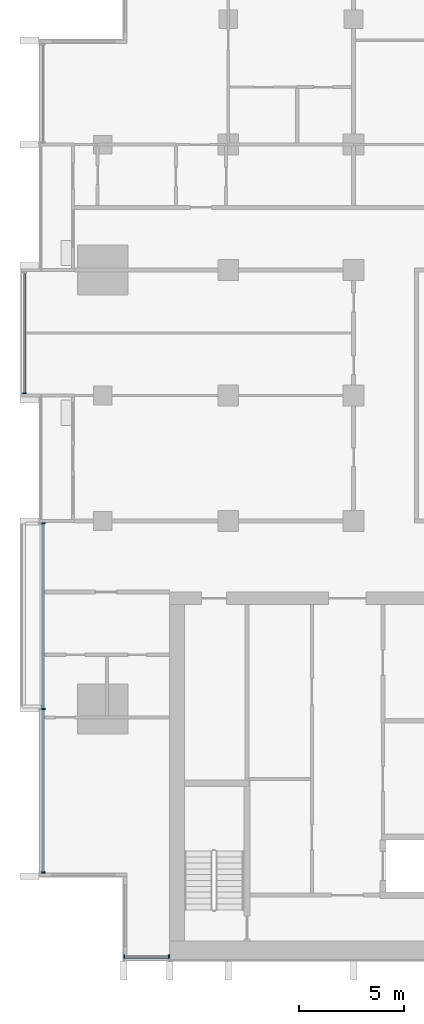
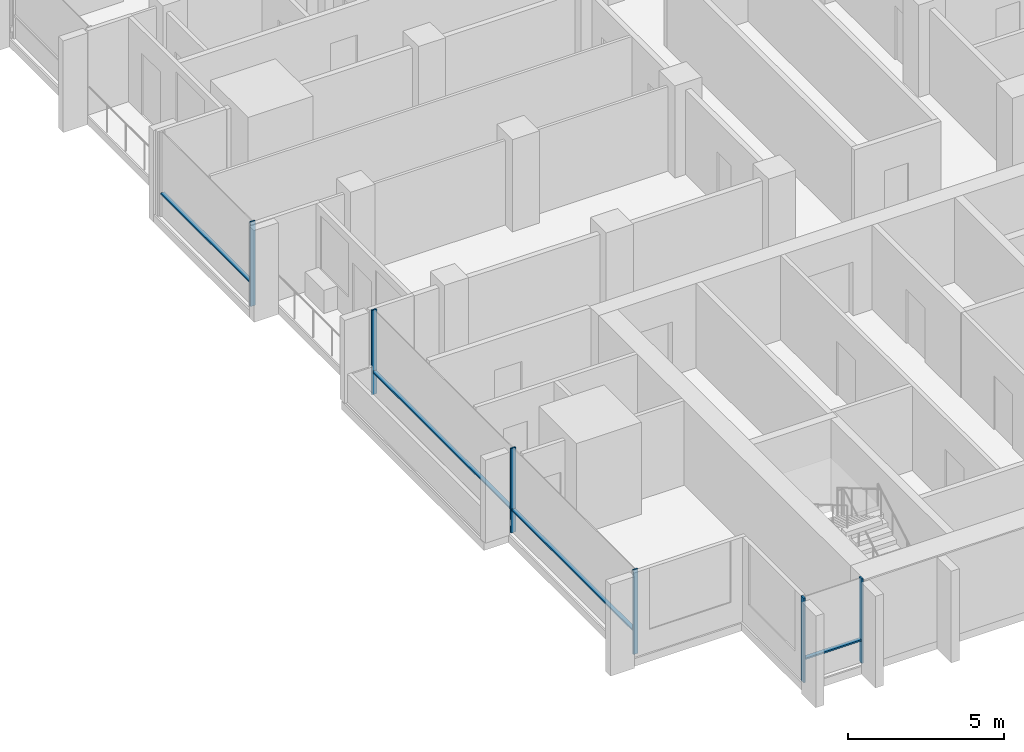
# One storey, part 2 of 17: 10 members, 3 elements without a shape of their own.
"""IFC4 building model written with IfcOpenShell, lengths in metres."""

from ifc_helpers import new_model, si_unit, direction, frame, origin, origin_2d, place, context, subcontext, project, spatial, rectangle, extrude, material, material_profile, profile_set, type_object, element, aggregate, save


model = new_model("IFC4")

# Units and contexts
model_context = context("Model", 3, precision=1e-05, world=origin(), true_north=direction((0.0, 1.0)))
body_context = subcontext(model_context, "Body", "Model", "MODEL_VIEW")
ifc_project = project(units=[si_unit("LENGTHUNIT", "METRE"), si_unit("AREAUNIT", "SQUARE_METRE"), si_unit("VOLUMEUNIT", "CUBIC_METRE"), si_unit("PLANEANGLEUNIT", "RADIAN"), si_unit("MASSUNIT", "GRAM", prefix="KILO")], contexts=[model_context])

# Site, building, storey
site_placement = place(None, origin())
site = spatial("IfcSite", under=ifc_project, at=site_placement, CompositionType="ELEMENT")
building_placement = place(site_placement, origin())
building = spatial("IfcBuilding", under=site, at=building_placement, Name="Finial Court Residences", CompositionType="ELEMENT")
storey_placement = place(building_placement, frame((0.0, 0.0, 152.89990234375)))
storey = spatial("IfcBuildingStorey", under=building, at=storey_placement, Name="L37", CompositionType="ELEMENT", Elevation=152.89990234375)

# Curtain wall, members
ifc_material = material(Name="Bronze anodised aluminium", Category="aluminium")
curtain_wall_type = type_object("IfcCurtainWallType", Name="Unitised curtain wall, upper zones", PredefinedType="NOTDEFINED", material=ifc_material)
curtain_wall_1_placement = place(storey_placement, origin())
curtain_wall_1 = element("IfcCurtainWall", 1, at=curtain_wall_1_placement, inside=storey, type_object=curtain_wall_type, Name="E-L37-CW-S7", PredefinedType="NOTDEFINED")
ifc_material_profile_1 = material_profile(ifc_material, rectangle(XDim=0.175048828125, YDim=0.06005859375, at=origin_2d()), Name="CW2 mullion 60 x 175")
ifc_profile_set_1 = profile_set([ifc_material_profile_1], Name="Bronze anodised aluminium")
member_type_1 = type_object("IfcMemberType", Name="CW2 mullion 60 x 175", PredefinedType="MULLION", material=ifc_profile_set_1)
member_1_placement = place(storey_placement, frame((-15.469970703125, -25.35009765625, 0.0), z_axis=(0.0, 0.0, 1.0), x_axis=(0.0, 1.0, 0.0)))
member_1 = element("IfcMember", 2, at=member_1_placement, type_object=member_type_1, Name="CW2 mullion 1", PredefinedType="MULLION", context=body_context, shape_type="SweptSolid", body=[
    extrude(rectangle(XDim=0.175048828125, YDim=0.06005859375, at=origin_2d()), origin(), (0.0, 0.0, 1.0), 3.300048828125),
])
member_2_placement = place(storey_placement, frame((-13.330078125, -25.35009765625, 0.0), z_axis=(0.0, 0.0, 1.0), x_axis=(0.0, 1.0, 0.0)))
member_2 = element("IfcMember", 3, at=member_2_placement, type_object=member_type_1, Name="CW2 mullion 2", PredefinedType="MULLION", context=body_context, shape_type="SweptSolid", body=[
    extrude(rectangle(XDim=0.175048828125, YDim=0.06005859375, at=origin_2d()), origin(), (0.0, 0.0, 1.0), 3.300048828125),
])

curtain_wall_2_placement = place(storey_placement, origin())
curtain_wall_2 = element("IfcCurtainWall", 4, at=curtain_wall_2_placement, inside=storey, type_object=curtain_wall_type, Name="E-L37-CW-W9", PredefinedType="NOTDEFINED")
member_3_placement = place(storey_placement, frame((-19.35009765625, -21.320068359375, 0.0), z_axis=(0.0, 0.0, 1.0), x_axis=(-1.0, 0.0, 0.0)))
member_3 = element("IfcMember", 5, at=member_3_placement, type_object=member_type_1, Name="CW2 mullion 1", PredefinedType="MULLION", context=body_context, shape_type="SweptSolid", body=[
    extrude(rectangle(XDim=0.175048828125, YDim=0.06005859375, at=origin_2d()), origin(), (0.0, 0.0, 1.0), 3.300048828125),
])
member_4_placement = place(storey_placement, frame((-19.35009765625, -13.5, 0.0), z_axis=(0.0, 0.0, 1.0), x_axis=(-1.0, 0.0, 0.0)))
member_4 = element("IfcMember", 6, at=member_4_placement, type_object=member_type_1, Name="CW2 mullion 2", PredefinedType="MULLION", context=body_context, shape_type="SweptSolid", body=[
    extrude(rectangle(XDim=0.175048828125, YDim=0.06005859375, at=origin_2d()), origin(), (0.0, 0.0, 1.0), 3.300048828125),
])
member_5_placement = place(storey_placement, frame((-19.35009765625, -4.60498046875, 0.0), z_axis=(0.0, 0.0, 1.0), x_axis=(-1.0, 0.0, 0.0)))
member_5 = element("IfcMember", 7, at=member_5_placement, type_object=member_type_1, Name="CW2 mullion 3", PredefinedType="MULLION", context=body_context, shape_type="SweptSolid", body=[
    extrude(rectangle(XDim=0.175048828125, YDim=0.06005859375, at=origin_2d()), origin(), (0.0, 0.0, 1.0), 3.300048828125),
])

# Curtain wall, member
curtain_wall_3_placement = place(storey_placement, origin())
curtain_wall_3 = element("IfcCurtainWall", 8, at=curtain_wall_3_placement, inside=storey, type_object=curtain_wall_type, Name="E-L37-CW-W10", PredefinedType="NOTDEFINED")
member_6_placement = place(storey_placement, frame((-20.25, 1.60498046875, 0.0), z_axis=(0.0, 0.0, 1.0), x_axis=(-1.0, 0.0, 0.0)))
member_6 = element("IfcMember", 9, at=member_6_placement, type_object=member_type_1, Name="CW2 mullion 1", PredefinedType="MULLION", context=body_context, shape_type="SweptSolid", body=[
    extrude(rectangle(XDim=0.175048828125, YDim=0.06005859375, at=origin_2d()), origin(), (0.0, 0.0, 1.0), 3.300048828125),
])

# Member
ifc_material_profile_2 = material_profile(ifc_material, rectangle(XDim=0.139892578125, YDim=0.06005859375, at=origin_2d()), Name="CW2 transom 60 x 140")
ifc_profile_set_2 = profile_set([ifc_material_profile_2], Name="Bronze anodised aluminium")
member_type_2 = type_object("IfcMemberType", Name="CW2 transom 60 x 140", PredefinedType="USERDEFINED", material=ifc_profile_set_2)
member_7_placement = place(storey_placement, frame((-15.43994140625, -25.35009765625, 0.900146484375), z_axis=(1.0, 0.0, 0.0), x_axis=(0.0, 1.0, 0.0)))
member_7 = element("IfcMember", 10, at=member_7_placement, type_object=member_type_2, Name="CW2 transom 1.1", ObjectType="TRANSOM", PredefinedType="USERDEFINED", context=body_context, shape_type="SweptSolid", body=[
    extrude(rectangle(XDim=0.139892578125, YDim=0.06005859375, at=origin_2d()), origin(), (0.0, 0.0, 1.0), 2.079833984375),
])

aggregate(curtain_wall_1, [member_1, member_2, member_7])

member_8_placement = place(storey_placement, frame((-19.35009765625, -21.2900390625, 0.900146484375), z_axis=(0.0, 1.0, 0.0), x_axis=(-1.0, 0.0, 0.0)))
member_8 = element("IfcMember", 11, at=member_8_placement, type_object=member_type_2, Name="CW2 transom 1.1", ObjectType="TRANSOM", PredefinedType="USERDEFINED", context=body_context, shape_type="SweptSolid", body=[
    extrude(rectangle(XDim=0.139892578125, YDim=0.06005859375, at=origin_2d()), origin(), (0.0, 0.0, 1.0), 7.760009765625),
])

member_9_placement = place(storey_placement, frame((-19.35009765625, -13.469970703125, 0.900146484375), z_axis=(0.0, 1.0, 0.0), x_axis=(-1.0, 0.0, 0.0)))
member_9 = element("IfcMember", 12, at=member_9_placement, type_object=member_type_2, Name="CW2 transom 2.1", ObjectType="TRANSOM", PredefinedType="USERDEFINED", context=body_context, shape_type="SweptSolid", body=[
    extrude(rectangle(XDim=0.139892578125, YDim=0.06005859375, at=origin_2d()), origin(), (0.0, 0.0, 1.0), 8.8349609375),
])

aggregate(curtain_wall_2, [member_3, member_4, member_5, member_8, member_9])

member_10_placement = place(storey_placement, frame((-20.25, 1.635009765625, 0.900146484375), z_axis=(0.0, 1.0, 0.0), x_axis=(-1.0, 0.0, 0.0)))
member_10 = element("IfcMember", 13, at=member_10_placement, type_object=member_type_2, Name="CW2 transom 1.1", ObjectType="TRANSOM", PredefinedType="USERDEFINED", context=body_context, shape_type="SweptSolid", body=[
    extrude(rectangle(XDim=0.139892578125, YDim=0.06005859375, at=origin_2d()), origin(), (0.0, 0.0, 1.0), 5.72998046875),
])

aggregate(curtain_wall_3, [member_6, member_10])

save(model, "model.ifc")
